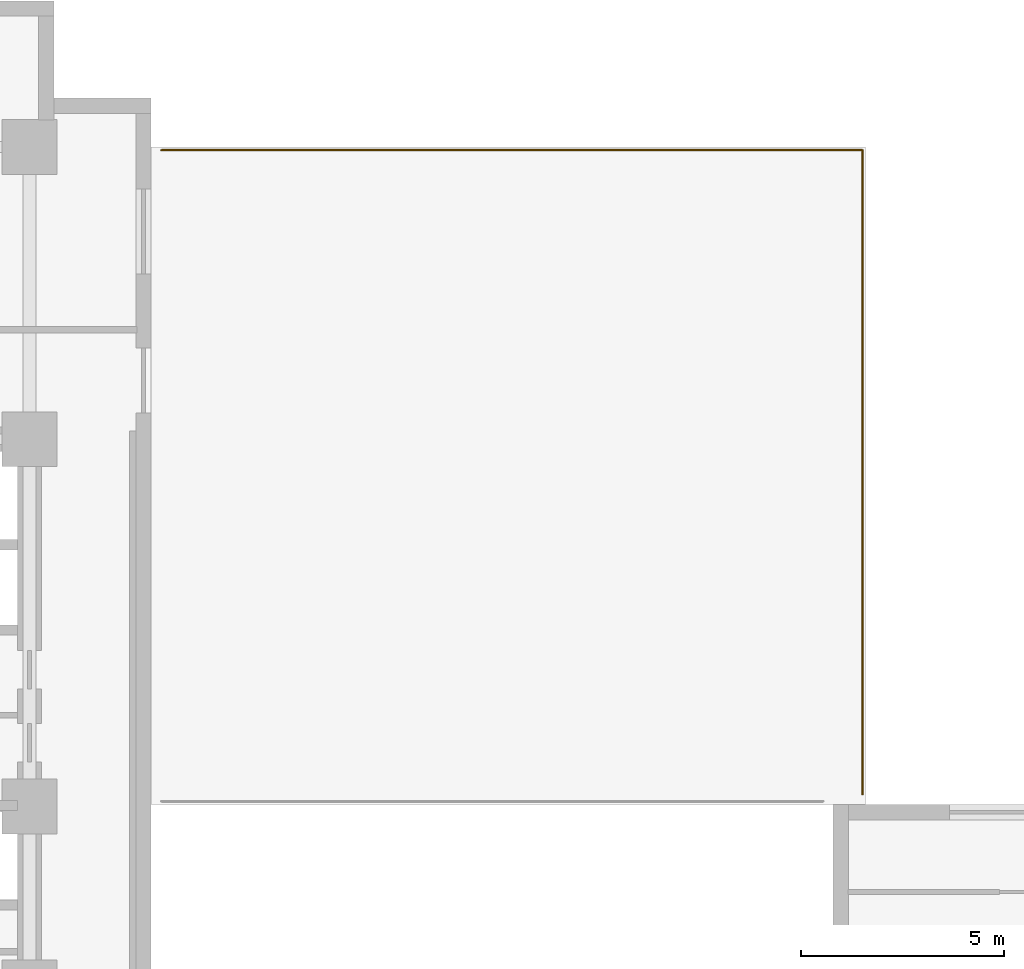
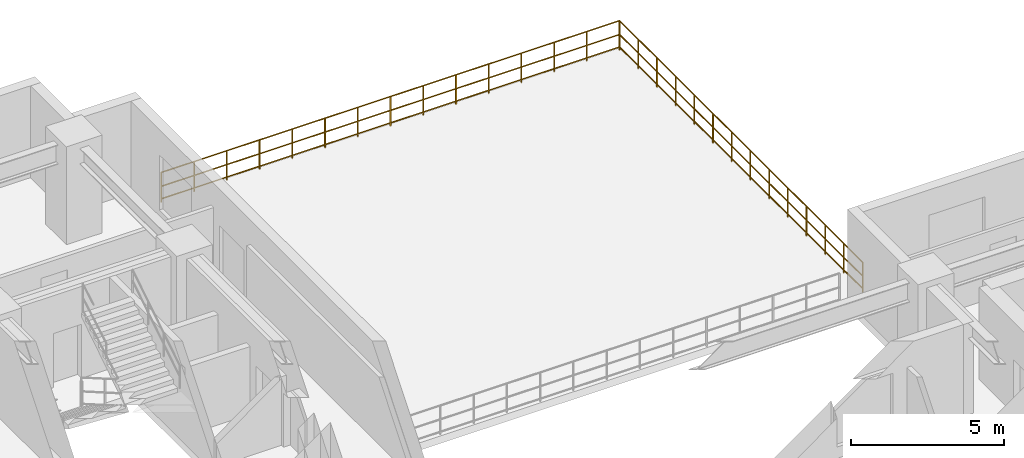
# One storey, part 10 of 10: 2 railings.
"""IFC4 building model written with IfcOpenShell, lengths in metres."""

from ifc_helpers import new_model, entity, si_unit, converted_unit, direction, frame, origin_with_axes, origin_2d_with_axis, place, context, subcontext, project, spatial, rectangle, circle, extrude, material, type_object, element, save


model = new_model("IFC4")

# Units and contexts
model_context = context("Model", 3, precision=1e-05, world=origin_with_axes(), true_north=direction((0.0, 1.0)))
body_context = subcontext(model_context, "Body", "Model", "MODEL_VIEW")
ifc_project = project(units=[si_unit("LENGTHUNIT", "METRE"), si_unit("AREAUNIT", "SQUARE_METRE"), si_unit("VOLUMEUNIT", "CUBIC_METRE"), converted_unit("PLANEANGLEUNIT", "DEGREE", entity("IfcPlaneAngleMeasure", 0.017453292519943295), si_unit("PLANEANGLEUNIT", "RADIAN"), dimensions=[0, 0, 0, 0, 0, 0, 0]), si_unit("MASSUNIT", "GRAM", prefix="KILO"), si_unit("THERMODYNAMICTEMPERATUREUNIT", "KELVIN")], contexts=[model_context])

# Site, building, storey
site_placement = place(None, origin_with_axes())
site = spatial("IfcSite", under=ifc_project, at=site_placement, CompositionType="ELEMENT")
building_placement = place(site_placement, origin_with_axes())
building = spatial("IfcBuilding", under=site, at=building_placement, Name="Varnlund Millrace Tower", CompositionType="ELEMENT")
storey_placement = place(building_placement, frame((0.0, 0.0, 28.8), z_axis=(0.0, 0.0, 1.0), x_axis=(1.0, 0.0, 0.0)))
storey = spatial("IfcBuildingStorey", under=building, at=storey_placement, Name="L06", CompositionType="ELEMENT", Elevation=28.8)

# Railings
ifc_material = material(Name="Architectural bronze balustrade guard", Category="aluminium")
railing_type = type_object("IfcRailingType", Name="Type-Guard-Perimeter-1150", PredefinedType="BALUSTRADE", material=ifc_material)
railing_1_placement = place(storey_placement, frame((0.0, 0.0, -28.8), z_axis=(0.0, 0.0, 1.0), x_axis=(1.0, 0.0, 0.0)))
element("IfcRailing", 1, at=railing_1_placement, inside=storey, type_object=railing_type, Name="Type-Guard-Perimeter-1150", PredefinedType="BALUSTRADE", context=body_context, shape_type="SweptSolid", body=[
    extrude(circle(Radius=0.024, at=origin_2d_with_axis()), frame((39.12, 29.05, 29.95), z_axis=(0.0, 1.0, 0.0), x_axis=(-1.0, 0.0, 0.0)), (0.0, 0.0, 1.0), 15.87),
    extrude(circle(Radius=0.024, at=origin_2d_with_axis()), frame((39.12, 29.05, 28.9), z_axis=(0.0, 1.0, 0.0), x_axis=(-1.0, 0.0, 0.0)), (0.0, 0.0, 1.0), 15.87),
    extrude(circle(Radius=0.024, at=origin_2d_with_axis()), frame((39.12, 29.05, 29.398), z_axis=(0.0, 1.0, 0.0), x_axis=(-1.0, 0.0, 0.0)), (0.0, 0.0, 1.0), 15.87),
    extrude(rectangle(XDim=0.04, YDim=0.04, at=origin_2d_with_axis()), frame((39.12, 29.05, 28.76), z_axis=(0.0, 0.0, 1.0), x_axis=(1.0, 0.0, 0.0)), (0.0, 0.0, 1.0), 1.19),
    extrude(rectangle(XDim=0.04, YDim=0.04, at=origin_2d_with_axis()), frame((39.12, 30.270769, 28.76), z_axis=(0.0, 0.0, 1.0), x_axis=(1.0, 0.0, 0.0)), (0.0, 0.0, 1.0), 1.19),
    extrude(rectangle(XDim=0.04, YDim=0.04, at=origin_2d_with_axis()), frame((39.12, 31.491538, 28.76), z_axis=(0.0, 0.0, 1.0), x_axis=(1.0, 0.0, 0.0)), (0.0, 0.0, 1.0), 1.19),
    extrude(rectangle(XDim=0.04, YDim=0.04, at=origin_2d_with_axis()), frame((39.12, 32.712308, 28.76), z_axis=(0.0, 0.0, 1.0), x_axis=(1.0, 0.0, 0.0)), (0.0, 0.0, 1.0), 1.19),
    extrude(rectangle(XDim=0.04, YDim=0.04, at=origin_2d_with_axis()), frame((39.12, 33.933077, 28.76), z_axis=(0.0, 0.0, 1.0), x_axis=(1.0, 0.0, 0.0)), (0.0, 0.0, 1.0), 1.19),
    extrude(rectangle(XDim=0.04, YDim=0.04, at=origin_2d_with_axis()), frame((39.12, 35.153846, 28.76), z_axis=(0.0, 0.0, 1.0), x_axis=(1.0, 0.0, 0.0)), (0.0, 0.0, 1.0), 1.19),
    extrude(rectangle(XDim=0.04, YDim=0.04, at=origin_2d_with_axis()), frame((39.12, 36.374615, 28.76), z_axis=(0.0, 0.0, 1.0), x_axis=(1.0, 0.0, 0.0)), (0.0, 0.0, 1.0), 1.19),
    extrude(rectangle(XDim=0.04, YDim=0.04, at=origin_2d_with_axis()), frame((39.12, 37.595385, 28.76), z_axis=(0.0, 0.0, 1.0), x_axis=(1.0, 0.0, 0.0)), (0.0, 0.0, 1.0), 1.19),
    extrude(rectangle(XDim=0.04, YDim=0.04, at=origin_2d_with_axis()), frame((39.12, 38.816154, 28.76), z_axis=(0.0, 0.0, 1.0), x_axis=(1.0, 0.0, 0.0)), (0.0, 0.0, 1.0), 1.19),
    extrude(rectangle(XDim=0.04, YDim=0.04, at=origin_2d_with_axis()), frame((39.12, 40.036923, 28.76), z_axis=(0.0, 0.0, 1.0), x_axis=(1.0, 0.0, 0.0)), (0.0, 0.0, 1.0), 1.19),
    extrude(rectangle(XDim=0.04, YDim=0.04, at=origin_2d_with_axis()), frame((39.12, 41.257692, 28.76), z_axis=(0.0, 0.0, 1.0), x_axis=(1.0, 0.0, 0.0)), (0.0, 0.0, 1.0), 1.19),
    extrude(rectangle(XDim=0.04, YDim=0.04, at=origin_2d_with_axis()), frame((39.12, 42.478462, 28.76), z_axis=(0.0, 0.0, 1.0), x_axis=(1.0, 0.0, 0.0)), (0.0, 0.0, 1.0), 1.19),
    extrude(rectangle(XDim=0.04, YDim=0.04, at=origin_2d_with_axis()), frame((39.12, 43.699231, 28.76), z_axis=(0.0, 0.0, 1.0), x_axis=(1.0, 0.0, 0.0)), (0.0, 0.0, 1.0), 1.19),
    extrude(rectangle(XDim=0.04, YDim=0.04, at=origin_2d_with_axis()), frame((39.12, 44.92, 28.76), z_axis=(0.0, 0.0, 1.0), x_axis=(1.0, 0.0, 0.0)), (0.0, 0.0, 1.0), 1.19),
])
railing_2_placement = place(storey_placement, frame((0.0, 0.0, -28.8), z_axis=(0.0, 0.0, 1.0), x_axis=(1.0, 0.0, 0.0)))
element("IfcRailing", 2, at=railing_2_placement, inside=storey, type_object=railing_type, Name="Type-Guard-Perimeter-1150", PredefinedType="BALUSTRADE", context=body_context, shape_type="SweptSolid", body=[
    extrude(circle(Radius=0.024, at=origin_2d_with_axis()), frame((39.12, 44.92, 29.95), z_axis=(-1.0, 0.0, 0.0), x_axis=(0.0, -1.0, 0.0)), (0.0, 0.0, 1.0), 17.27),
    extrude(circle(Radius=0.024, at=origin_2d_with_axis()), frame((39.12, 44.92, 28.9), z_axis=(-1.0, 0.0, 0.0), x_axis=(0.0, -1.0, 0.0)), (0.0, 0.0, 1.0), 17.27),
    extrude(circle(Radius=0.024, at=origin_2d_with_axis()), frame((39.12, 44.92, 29.398), z_axis=(-1.0, 0.0, 0.0), x_axis=(0.0, -1.0, 0.0)), (0.0, 0.0, 1.0), 17.27),
    extrude(rectangle(XDim=0.04, YDim=0.04, at=origin_2d_with_axis()), frame((39.12, 44.92, 28.76), z_axis=(0.0, 0.0, 1.0), x_axis=(1.0, 0.0, 0.0)), (0.0, 0.0, 1.0), 1.19),
    extrude(rectangle(XDim=0.04, YDim=0.04, at=origin_2d_with_axis()), frame((37.886429, 44.92, 28.76), z_axis=(0.0, 0.0, 1.0), x_axis=(1.0, 0.0, 0.0)), (0.0, 0.0, 1.0), 1.19),
    extrude(rectangle(XDim=0.04, YDim=0.04, at=origin_2d_with_axis()), frame((36.652857, 44.92, 28.76), z_axis=(0.0, 0.0, 1.0), x_axis=(1.0, 0.0, 0.0)), (0.0, 0.0, 1.0), 1.19),
    extrude(rectangle(XDim=0.04, YDim=0.04, at=origin_2d_with_axis()), frame((35.419286, 44.92, 28.76), z_axis=(0.0, 0.0, 1.0), x_axis=(1.0, 0.0, 0.0)), (0.0, 0.0, 1.0), 1.19),
    extrude(rectangle(XDim=0.04, YDim=0.04, at=origin_2d_with_axis()), frame((34.185714, 44.92, 28.76), z_axis=(0.0, 0.0, 1.0), x_axis=(1.0, 0.0, 0.0)), (0.0, 0.0, 1.0), 1.19),
    extrude(rectangle(XDim=0.04, YDim=0.04, at=origin_2d_with_axis()), frame((32.952143, 44.92, 28.76), z_axis=(0.0, 0.0, 1.0), x_axis=(1.0, 0.0, 0.0)), (0.0, 0.0, 1.0), 1.19),
    extrude(rectangle(XDim=0.04, YDim=0.04, at=origin_2d_with_axis()), frame((31.718571, 44.92, 28.76), z_axis=(0.0, 0.0, 1.0), x_axis=(1.0, 0.0, 0.0)), (0.0, 0.0, 1.0), 1.19),
    extrude(rectangle(XDim=0.04, YDim=0.04, at=origin_2d_with_axis()), frame((30.485, 44.92, 28.76), z_axis=(0.0, 0.0, 1.0), x_axis=(1.0, 0.0, 0.0)), (0.0, 0.0, 1.0), 1.19),
    extrude(rectangle(XDim=0.04, YDim=0.04, at=origin_2d_with_axis()), frame((29.251429, 44.92, 28.76), z_axis=(0.0, 0.0, 1.0), x_axis=(1.0, 0.0, 0.0)), (0.0, 0.0, 1.0), 1.19),
    extrude(rectangle(XDim=0.04, YDim=0.04, at=origin_2d_with_axis()), frame((28.017857, 44.92, 28.76), z_axis=(0.0, 0.0, 1.0), x_axis=(1.0, 0.0, 0.0)), (0.0, 0.0, 1.0), 1.19),
    extrude(rectangle(XDim=0.04, YDim=0.04, at=origin_2d_with_axis()), frame((26.784286, 44.92, 28.76), z_axis=(0.0, 0.0, 1.0), x_axis=(1.0, 0.0, 0.0)), (0.0, 0.0, 1.0), 1.19),
    extrude(rectangle(XDim=0.04, YDim=0.04, at=origin_2d_with_axis()), frame((25.550714, 44.92, 28.76), z_axis=(0.0, 0.0, 1.0), x_axis=(1.0, 0.0, 0.0)), (0.0, 0.0, 1.0), 1.19),
    extrude(rectangle(XDim=0.04, YDim=0.04, at=origin_2d_with_axis()), frame((24.317143, 44.92, 28.76), z_axis=(0.0, 0.0, 1.0), x_axis=(1.0, 0.0, 0.0)), (0.0, 0.0, 1.0), 1.19),
    extrude(rectangle(XDim=0.04, YDim=0.04, at=origin_2d_with_axis()), frame((23.083571, 44.92, 28.76), z_axis=(0.0, 0.0, 1.0), x_axis=(1.0, 0.0, 0.0)), (0.0, 0.0, 1.0), 1.19),
    extrude(rectangle(XDim=0.04, YDim=0.04, at=origin_2d_with_axis()), frame((21.85, 44.92, 28.76), z_axis=(0.0, 0.0, 1.0), x_axis=(1.0, 0.0, 0.0)), (0.0, 0.0, 1.0), 1.19),
])

save(model, "model.ifc")
